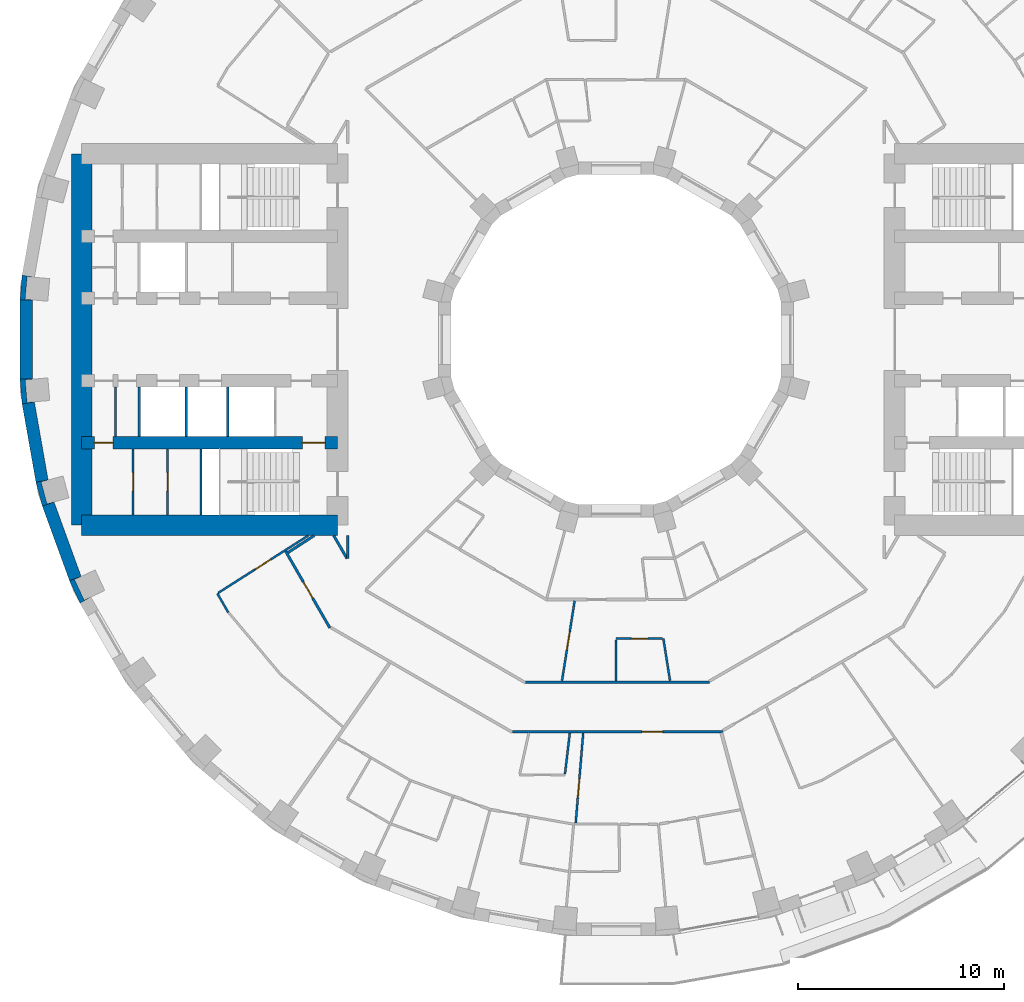
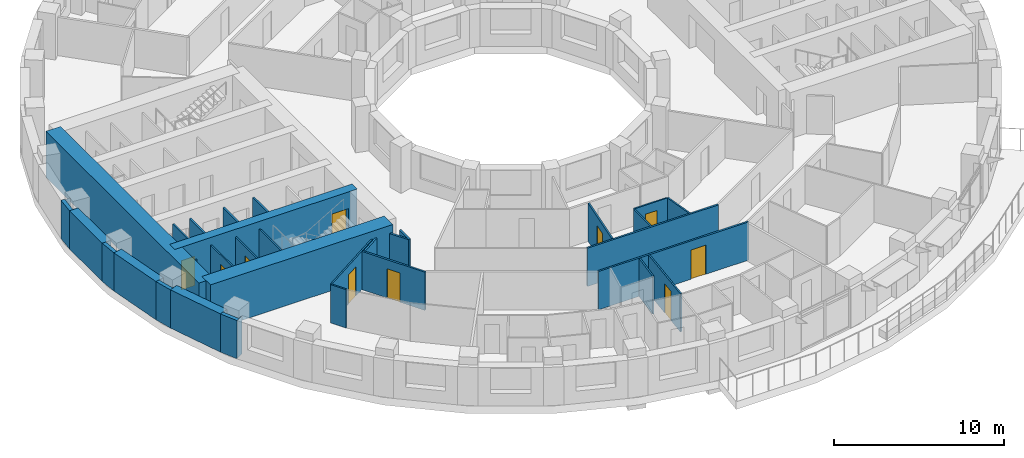
# One storey, part 6 of 16: 31 walls, 10 doors, 10 openings.
"""IFC4 building model written with IfcOpenShell, lengths in metres."""

import ifcopenshell
import ifcopenshell.guid

model = None  # the IFC model being written
_history = None  # IfcOwnerHistory: only IFC2X3 demands one
_inside = {}  # id of a spatial element -> (the spatial element, [elements in it])
_under = {}  # id of a project, library or spatial element -> (it, [spatial elements below it])
_declared = {}  # id of a project -> (the project, [libraries it declares])
_typed = {}  # id of a type object -> (the type object, [elements of that type])
_made_of = {}  # id of a material, layer set ... -> (it, [elements and type objects made of it])


def new_model(schema):
    """Start an empty IFC model of exactly this schema.

    Asked for "IFC4X3", IfcOpenShell would pick the latest addendum, in which some entities
    have other attributes; the version numbers below select the first issue.
    IFC2X3 requires an IfcOwnerHistory on every rooted entity: one is made here for all.
    """
    global model, _history
    if schema == "IFC4X3":
        model = ifcopenshell.file(schema_version=(4, 3, 0, 0))
    else:
        model = ifcopenshell.file(schema=schema)
    _inside.clear()
    _under.clear()
    _declared.clear()
    _typed.clear()
    _made_of.clear()
    _history = None
    if model.schema == "IFC2X3":
        org = make("IfcOrganization", Name="unknown")
        user = make(
            "IfcPersonAndOrganization",
            ThePerson=make("IfcPerson", FamilyName="unknown"),
            TheOrganization=org,
        )
        app = make(
            "IfcApplication",
            ApplicationDeveloper=org,
            Version="unknown",
            ApplicationFullName="unknown",
            ApplicationIdentifier="unknown",
        )
        _history = make(
            "IfcOwnerHistory",
            OwningUser=user,
            OwningApplication=app,
            ChangeAction="ADDED",
            CreationDate=0,
        )
    return model


def make(cls, **values):
    """One entity of the class cls with the attributes given. An attribute that is None is left unset."""
    return model.create_entity(
        cls, **{name: value for name, value in values.items() if value is not None}
    )


def rooted(cls, **values):
    """An entity with a GlobalId (a new one), such as an element, a storey or a relation."""
    return make(cls, GlobalId=ifcopenshell.guid.new(), OwnerHistory=_history, **values)


def si_unit(unit_type, name, prefix=None):
    """IfcSIUnit, for example si_unit("LENGTHUNIT", "METRE", prefix="MILLI")."""
    return make("IfcSIUnit", UnitType=unit_type, Prefix=prefix, Name=name)


def assignment(units):
    """IfcUnitAssignment: the units of a project."""
    return None if units is None else make("IfcUnitAssignment", Units=units)


def point(xyz):
    """IfcCartesianPoint."""
    return None if xyz is None else make("IfcCartesianPoint", Coordinates=xyz)


def direction(xyz):
    """IfcDirection."""
    return None if xyz is None else make("IfcDirection", DirectionRatios=xyz)


def frame(location, z_axis=None, x_axis=None):
    """IfcAxis2Placement3D, a coordinate frame: its origin and axes. An axis left out is left unset."""
    return make(
        "IfcAxis2Placement3D",
        Location=point(location),
        Axis=direction(z_axis),
        RefDirection=direction(x_axis),
    )


def frame_2d(location, x_axis=None):
    """IfcAxis2Placement2D, a coordinate frame in the plane: its origin and x axis."""
    return make(
        "IfcAxis2Placement2D", Location=point(location), RefDirection=direction(x_axis)
    )


def origin():
    """The frame at (0, 0, 0) with its axes left unset."""
    return frame((0.0, 0.0, 0.0))


def place(relative_to, where):
    """IfcLocalPlacement: puts the frame where relative to a parent placement (None: the world)."""
    return make(
        "IfcLocalPlacement", PlacementRelTo=relative_to, RelativePlacement=where
    )


def context(
    kind, dimensions, precision=None, world=None, true_north=None, identifier=None
):
    """IfcGeometricRepresentationContext, for example the 3D "Model" context."""
    return make(
        "IfcGeometricRepresentationContext",
        ContextIdentifier=identifier,
        ContextType=kind,
        CoordinateSpaceDimension=dimensions,
        Precision=precision,
        WorldCoordinateSystem=world,
        TrueNorth=true_north,
    )


def subcontext(parent, identifier, kind, view, scale=None):
    """IfcGeometricRepresentationSubContext, for example "Body" below "Model"."""
    return make(
        "IfcGeometricRepresentationSubContext",
        ContextIdentifier=identifier,
        ContextType=kind,
        ParentContext=parent,
        TargetScale=scale,
        TargetView=view,
    )


def project(units=None, contexts=None):
    """IfcProject with its units and contexts."""
    return rooted(
        "IfcProject",
        Name="project",
        RepresentationContexts=contexts,
        UnitsInContext=assignment(units),
    )


def spatial(cls, under=None, at=None, **own):
    """A site, building, storey or space (cls), placed at a placement, below another one or the project."""
    s = rooted(cls, ObjectPlacement=at, **own)
    if under is not None:
        _under.setdefault(under.id(), (under, []))[1].append(s)
    return s


def polyline(points):
    """IfcPolyline through the points."""
    return make("IfcPolyline", Points=[point(p) for p in points])


def profile(cls, at=None, kind="AREA", **sizes):
    """A parametric profile (cls). Its sizes go by their IFC names, for example OverallWidth=200.0."""
    return make(cls, ProfileType=kind, Position=at, **sizes)


def rectangle(**sizes):
    """IfcRectangleProfileDef."""
    return profile("IfcRectangleProfileDef", **sizes)


def outline(outer, holes=None, kind="AREA"):
    """IfcArbitraryClosedProfileDef: a profile drawn as a closed curve; with holes, ...WithVoids."""
    if holes is None:
        return make("IfcArbitraryClosedProfileDef", ProfileType=kind, OuterCurve=outer)
    return make(
        "IfcArbitraryProfileDefWithVoids",
        ProfileType=kind,
        OuterCurve=outer,
        InnerCurves=holes,
    )


def extrude(swept, where, along, depth):
    """IfcExtrudedAreaSolid: the profile swept, set in the frame where, extruded along a direction by depth."""
    return make(
        "IfcExtrudedAreaSolid",
        SweptArea=swept,
        Position=where,
        ExtrudedDirection=direction(along),
        Depth=depth,
    )


def shape(context_of_items, identifier, shape_type, items):
    """IfcShapeRepresentation: the items that make up one representation, for example the "Body"."""
    return make(
        "IfcShapeRepresentation",
        ContextOfItems=context_of_items,
        RepresentationIdentifier=identifier,
        RepresentationType=shape_type,
        Items=items,
    )


def material(Name=None, Category=None):
    """IfcMaterial."""
    return make("IfcMaterial", Name=Name, Category=Category)


def layer(
    of_material, thickness, ventilated=None, Name=None, Category=None, Priority=None
):
    """IfcMaterialLayer: one layer of a wall or slab, of a material (None: an air gap)."""
    return make(
        "IfcMaterialLayer",
        Material=of_material,
        LayerThickness=thickness,
        IsVentilated=ventilated,
        Name=Name,
        Category=Category,
        Priority=Priority,
    )


def layer_set(layers, Name=None):
    """IfcMaterialLayerSet."""
    return make("IfcMaterialLayerSet", MaterialLayers=layers, LayerSetName=Name)


def made_of(thing, what):
    """Note that an element or type object is made of a material, layer set ...; save() writes the relation."""
    if what is not None:
        _made_of.setdefault(what.id(), (what, []))[1].append(thing)
    return thing


def type_object(cls, material=None, **own):
    """A type object (cls), such as IfcWallType, which elements share."""
    return made_of(rooted(cls, **own), material)


def element(
    cls,
    number,
    at=None,
    inside=None,
    cuts=None,
    type_object=None,
    material=None,
    context=None,
    identifier="Body",
    shape_type=None,
    held_by="IfcProductDefinitionShape",
    body=None,
    shapes=None,
    **own,
):
    """One element of the class cls, such as IfcWall. Its Tag is "e" and its number.

    at: its placement. inside: the storey or other place that contains it. cuts: it is an
    opening in that element (IfcRelVoidsElement). A single representation is given by context,
    identifier, shape_type and body (its items); several are given by shapes. held_by: the class
    of the entity that holds the representations. save() writes the other relations.
    """
    e = rooted(cls, Tag="e%d" % number, ObjectPlacement=at, **own)
    if body is not None:
        shapes = [shape(context, identifier, shape_type, body)]
    if shapes is not None:
        e.Representation = make(held_by, Representations=shapes)
    if inside is not None:
        _inside.setdefault(inside.id(), (inside, []))[1].append(e)
    if cuts is not None:
        rooted(
            "IfcRelVoidsElement", RelatingBuildingElement=cuts, RelatedOpeningElement=e
        )
    if type_object is not None:
        _typed.setdefault(type_object.id(), (type_object, []))[1].append(e)
    return made_of(e, material)


def fill(opening, filler):
    """IfcRelFillsElement: the door or window that sits in an opening."""
    return rooted(
        "IfcRelFillsElement",
        RelatingOpeningElement=opening,
        RelatedBuildingElement=filler,
    )


def aggregate(whole, parts):
    """IfcRelAggregates: a whole, such as a stair, and the parts it consists of."""
    return rooted("IfcRelAggregates", RelatingObject=whole, RelatedObjects=parts)


def save(model, path):
    """Write the relations noted so far, then the file.

    IfcRelAggregates (storeys below a building ...), IfcRelContainedInSpatialStructure (elements
    in a storey), IfcRelDefinesByType, IfcRelAssociatesMaterial and IfcRelDeclares: one each for
    every whole, place, type object, material and project.
    """
    for whole, parts in _under.values():
        aggregate(whole, parts)
    for where, things in _inside.values():
        rooted(
            "IfcRelContainedInSpatialStructure",
            RelatedElements=things,
            RelatingStructure=where,
        )
    for kind, things in _typed.values():
        rooted("IfcRelDefinesByType", RelatedObjects=things, RelatingType=kind)
    for what, things in _made_of.values():
        rooted("IfcRelAssociatesMaterial", RelatedObjects=things, RelatingMaterial=what)
    for by, libraries in _declared.values():
        rooted("IfcRelDeclares", RelatingContext=by, RelatedDefinitions=libraries)
    model.write(path)


model = new_model("IFC4")

# Units and contexts
model_context = context("Model", 3, precision=1e-05, world=origin(), true_north=direction((0.0, 1.0)))
body_context = subcontext(model_context, "Body", "Model", "MODEL_VIEW")
ifc_project = project(units=[si_unit("LENGTHUNIT", "METRE"), si_unit("AREAUNIT", "SQUARE_METRE"), si_unit("VOLUMEUNIT", "CUBIC_METRE"), si_unit("PLANEANGLEUNIT", "RADIAN"), si_unit("MASSUNIT", "GRAM", prefix="KILO")], contexts=[model_context])

# Site, building, storey
site_placement = place(None, origin())
site = spatial("IfcSite", under=ifc_project, at=site_placement, CompositionType="ELEMENT")
building_placement = place(site_placement, origin())
building = spatial("IfcBuilding", under=site, at=building_placement, Name="Saqina Gate Tower", CompositionType="ELEMENT")
storey_placement = place(building_placement, frame((0.0, 0.0, 26.300048828125)))
storey = spatial("IfcBuildingStorey", under=building, at=storey_placement, Name="L06", CompositionType="ELEMENT", Elevation=26.300048828125)

# Walls
ifc_material_1 = material(Name="Brick masonry (red)", Category="masonry")
wall_type_1 = type_object("IfcWallType", Name="BRICK PIER COPING RED", PredefinedType="SOLIDWALL", material=ifc_material_1)
wall_1_placement = place(storey_placement, origin())
element("IfcWall", 1, at=wall_1_placement, inside=storey, type_object=wall_type_1, Name="Pier cap L06 column 18", PredefinedType="SOLIDWALL", context=body_context, shape_type="SweptSolid", body=[
    extrude(outline(polyline([(-28.78466796875, 3.122802734375), (-28.8896484375, 1.9228515625), (-28.28955078125, 1.9228515625), (-28.638671875, 1.95361328125), (-28.54296875, 3.04931640625), (-28.19384765625, 3.018798828125), (-28.78466796875, 3.122802734375)])), origin(), (0.0, 0.0, 1.0), 2.75),
])
wall_2_placement = place(storey_placement, origin())
element("IfcWall", 2, at=wall_2_placement, inside=storey, type_object=wall_type_1, Name="Pier cap L06 column 19", PredefinedType="SOLIDWALL", context=body_context, shape_type="SweptSolid", body=[
    extrude(outline(polyline([(-28.8896484375, -1.9228515625), (-28.78466796875, -3.122802734375), (-28.19384765625, -3.018798828125), (-28.54296875, -3.04931640625), (-28.638671875, -1.95361328125), (-28.28955078125, -1.9228515625), (-28.8896484375, -1.9228515625)])), origin(), (0.0, 0.0, 1.0), 2.75),
])
wall_3_placement = place(storey_placement, origin())
element("IfcWall", 3, at=wall_3_placement, inside=storey, type_object=wall_type_1, Name="Pier cap L06 column 20", PredefinedType="SOLIDWALL", context=body_context, shape_type="SweptSolid", body=[
    extrude(outline(polyline([(-28.11669921875, -6.910400390625), (-27.80517578125, -8.073974609375), (-27.2412109375, -7.86865234375), (-27.57958984375, -7.95947265625), (-27.864501953125, -6.896728515625), (-27.52587890625, -6.80615234375), (-28.11669921875, -6.910400390625)])), origin(), (0.0, 0.0, 1.0), 2.75),
])
wall_4_placement = place(storey_placement, origin())
element("IfcWall", 4, at=wall_4_placement, inside=storey, type_object=wall_type_1, Name="Pier cap L06 column 21", PredefinedType="SOLIDWALL", context=body_context, shape_type="SweptSolid", body=[
    extrude(outline(polyline([(-25.980712890625, -12.779541015625), (-25.4609375, -12.4794921875), (-25.778564453125, -12.627685546875), (-26.243408203125, -11.630615234375), (-25.92578125, -11.482666015625), (-26.48974609375, -11.687744140625), (-25.980712890625, -12.779541015625)])), origin(), (0.0, 0.0, 1.0), 2.75),
])
ifc_material_2 = material(Name="Gypsum board on steel studs", Category="steel")
ifc_layer_1 = layer(ifc_material_2, 0.10009765625)
ifc_layer_set_1 = layer_set([ifc_layer_1], Name="CORE PARTITION")
wall_type_2 = type_object("IfcWallType", Name="CORE PARTITION", PredefinedType="PARTITIONING", material=ifc_layer_set_1)
wall_5_placement = place(storey_placement, frame((-24.260009765625, -4.699951171875, 0.0), z_axis=(0.0, 0.0, 1.0), x_axis=(0.0, 1.0, 0.0)))
element("IfcWall", 5, at=wall_5_placement, inside=storey, type_object=wall_type_2, Name="L06-CP-W09", PredefinedType="PARTITIONING", context=body_context, shape_type="SweptSolid", body=[
    extrude(rectangle(XDim=2.39990234375, YDim=0.10009765625, at=frame_2d((1.199951171875, 0.0))), origin(), (0.0, 0.0, 1.0), 2.75),
])

# Wall, opening, door
wall_6_placement = place(storey_placement, frame((-21.73193359375, -8.5, 0.0), z_axis=(0.0, 0.0, 1.0), x_axis=(0.0, 1.0, 0.0)))
wall_6 = element("IfcWall", 6, at=wall_6_placement, inside=storey, type_object=wall_type_2, Name="L06-CP-W15", PredefinedType="PARTITIONING", context=body_context, shape_type="SweptSolid", body=[
    extrude(rectangle(XDim=3.199951171875, YDim=0.10009765625, at=frame_2d((1.60009765625, 0.0))), origin(), (0.0, 0.0, 1.0), 2.75),
])
opening_1_placement = place(wall_6_placement, frame((1.14990234375, 0.0, 0.0)))
opening_1 = element("IfcOpeningElement", 7, at=opening_1_placement, cuts=wall_6, Name="Opening G01-D120", PredefinedType="OPENING", context=body_context, shape_type="SweptSolid", body=[
    extrude(rectangle(XDim=0.89990234375, YDim=2.10009765625, at=frame_2d((0.449951171875, 1.050048828125))), frame((0.0, 0.06201171875, 0.0), z_axis=(0.0, -1.0, 0.0), x_axis=(1.0, 0.0, 0.0)), (0.0, 0.0, 1.0), 0.1240234375),
])
ifc_material_3 = material(Name="Steel-framed fire door leaf, EI 60", Category="steel")
door_type_1 = type_object("IfcDoorType", Name="SERVICE ROOM DOOR 900", OperationType="SINGLE_SWING_LEFT", PredefinedType="DOOR", material=ifc_material_3)
door_1_placement = place(opening_1_placement, origin())
door_1 = element("IfcDoor", 8, at=door_1_placement, inside=storey, type_object=door_type_1, Name="L06-CD-W31", OperationType="SINGLE_SWING_LEFT", OverallHeight=2.10009765625, OverallWidth=0.89990234375, PredefinedType="DOOR", context=body_context, shape_type="SweptSolid", body=[
    extrude(rectangle(XDim=0.89990234375, YDim=2.10009765625, at=frame_2d((0.449951171875, 1.050048828125))), frame((0.0, 0.02490234375, 0.0), z_axis=(0.0, -1.0, 0.0), x_axis=(1.0, 0.0, 0.0)), (0.0, 0.0, 1.0), 0.050048828125),
])
fill(opening_1, door_1)

wall_7_placement = place(storey_placement, frame((-23.40869140625, -8.5, 0.0), z_axis=(0.0, 0.0, 1.0), x_axis=(0.0, 1.0, 0.0)))
wall_7 = element("IfcWall", 9, at=wall_7_placement, inside=storey, type_object=wall_type_2, Name="L06-CP-W16", PredefinedType="PARTITIONING", context=body_context, shape_type="SweptSolid", body=[
    extrude(rectangle(XDim=3.199951171875, YDim=0.10009765625, at=frame_2d((1.60009765625, 0.0))), origin(), (0.0, 0.0, 1.0), 2.75),
])
opening_2_placement = place(wall_7_placement, frame((1.14990234375, 0.0, 0.0)))
opening_2 = element("IfcOpeningElement", 10, at=opening_2_placement, cuts=wall_7, Name="Opening G01-D119", PredefinedType="OPENING", context=body_context, shape_type="SweptSolid", body=[
    extrude(rectangle(XDim=0.89990234375, YDim=2.10009765625, at=frame_2d((0.449951171875, 1.050048828125))), frame((0.0, 0.06201171875, 0.0), z_axis=(0.0, -1.0, 0.0), x_axis=(1.0, 0.0, 0.0)), (0.0, 0.0, 1.0), 0.1240234375),
])
door_2_placement = place(opening_2_placement, origin())
door_2 = element("IfcDoor", 11, at=door_2_placement, inside=storey, type_object=door_type_1, Name="L06-CD-W30", OperationType="SINGLE_SWING_LEFT", OverallHeight=2.10009765625, OverallWidth=0.89990234375, PredefinedType="DOOR", context=body_context, shape_type="SweptSolid", body=[
    extrude(rectangle(XDim=0.89990234375, YDim=2.10009765625, at=frame_2d((0.449951171875, 1.050048828125))), frame((0.0, 0.02490234375, 0.0), z_axis=(0.0, -1.0, 0.0), x_axis=(1.0, 0.0, 0.0)), (0.0, 0.0, 1.0), 0.050048828125),
])
fill(opening_2, door_2)

# Walls
ifc_material_4 = material(Name="Glazed ceramic tile", Category="ceramic")
ifc_layer_2 = layer(ifc_material_4, 0.60009765625)
ifc_layer_set_2 = layer_set([ifc_layer_2], Name="FW-TILE")
wall_type_3 = type_object("IfcWallType", Name="FW-TILE", PredefinedType="SOLIDWALL", material=ifc_layer_set_2)
wall_8_placement = place(storey_placement, frame((-28.4892578125, -3.07080078125, 0.0), z_axis=(0.0, 0.0, 1.0), x_axis=(0.173687553279, -0.984800809218, 0.0)))
element("IfcWall", 12, at=wall_8_placement, inside=storey, type_object=wall_type_3, Name="Facade wall L06 facet 19", PredefinedType="SOLIDWALL", context=body_context, shape_type="SweptSolid", body=[
    extrude(rectangle(XDim=3.845703125, YDim=0.60009765625, at=frame_2d((1.9228515625, 0.0))), origin(), (0.0, 0.0, 1.0), 2.75),
])
ifc_material_5 = material(Name="Glazed ceramic tile (dark blue)", Category="ceramic")
ifc_layer_3 = layer(ifc_material_5, 0.60009765625)
ifc_layer_set_3 = layer_set([ifc_layer_3], Name="FW-TILE-CB")
wall_type_4 = type_object("IfcWallType", Name="FW-TILE-CB", PredefinedType="SOLIDWALL", material=ifc_layer_set_3)
wall_9_placement = place(storey_placement, frame((-27.523193359375, -7.97119140625, 0.0), z_axis=(0.0, 0.0, 1.0), x_axis=(0.342028474173, -0.939689588564, 0.0)))
element("IfcWall", 13, at=wall_9_placement, inside=storey, type_object=wall_type_4, Name="Facade wall L06 facet 20", PredefinedType="SOLIDWALL", context=body_context, shape_type="SweptSolid", body=[
    extrude(rectangle(XDim=3.845947265625, YDim=0.60009765625, at=frame_2d((1.9228515625, 0.0))), origin(), (0.0, 0.0, 1.0), 2.75),
])
ifc_material_6 = material(Name="Glazed ceramic tile (white)", Category="ceramic")
ifc_layer_4 = layer(ifc_material_6, 0.60009765625)
ifc_layer_set_4 = layer_set([ifc_layer_4], Name="FW-TILE-WH")
wall_type_5 = type_object("IfcWallType", Name="FW-TILE-WH", PredefinedType="SOLIDWALL", material=ifc_layer_set_4)
wall_10_placement = place(storey_placement, frame((-28.589599609375, 1.9228515625, 0.0), z_axis=(0.0, 0.0, 1.0), x_axis=(0.0, -1.0, 0.0)))
element("IfcWall", 14, at=wall_10_placement, inside=storey, type_object=wall_type_5, Name="Facade wall L06 facet 18", PredefinedType="SOLIDWALL", context=body_context, shape_type="SweptSolid", body=[
    extrude(rectangle(XDim=3.845703125, YDim=0.60009765625, at=frame_2d((1.9228515625, 0.0))), origin(), (0.0, 0.0, 1.0), 2.75),
])
ifc_material_7 = material(Name="Gypsum board on steel studs, 100 mm", Category="steel")
ifc_layer_5 = layer(ifc_material_7, 0.10009765625)
ifc_layer_set_5 = layer_set([ifc_layer_5], Name="PARTITION 100")
wall_type_6 = type_object("IfcWallType", Name="PARTITION 100", PredefinedType="PARTITIONING", material=ifc_layer_set_5)
wall_11_placement = place(storey_placement, frame((2.294921875, -14.5, 0.0), z_axis=(0.0, 0.0, 1.0), x_axis=(0.156163049852, -0.987731290312, 0.0)))
element("IfcWall", 15, at=wall_11_placement, inside=storey, type_object=wall_type_6, Name="PARTITION PW3-08", PredefinedType="PARTITIONING", context=body_context, shape_type="SweptSolid", body=[
    extrude(rectangle(XDim=2.063720703125, YDim=0.10009765625, at=frame_2d((1.03173828125, 0.0))), origin(), (0.0, 0.0, 1.0), 2.75),
])
wall_12_placement = place(storey_placement, frame((-19.324951171875, -12.306884765625, 0.0), z_axis=(0.0, 0.0, 1.0), x_axis=(0.499069511817, -0.866561955301, 0.0)))
element("IfcWall", 16, at=wall_12_placement, inside=storey, type_object=wall_type_6, Name="PARTITION PW3-23", PredefinedType="PARTITIONING", context=body_context, shape_type="SweptSolid", body=[
    extrude(rectangle(XDim=1.0576171875, YDim=0.10009765625, at=frame_2d((0.52880859375, 0.0))), origin(), (0.0, 0.0, 1.0), 2.75),
])

# Wall, opening, door
wall_13_placement = place(storey_placement, frame((0.0, -14.5, 0.0), z_axis=(0.0, 0.0, 1.0), x_axis=(1.0, 0.0, 0.0)))
wall_13 = element("IfcWall", 17, at=wall_13_placement, inside=storey, type_object=wall_type_6, Name="PARTITION PW3-58", PredefinedType="PARTITIONING", context=body_context, shape_type="SweptSolid", body=[
    extrude(rectangle(XDim=2.2451171875, YDim=0.10009765625, at=frame_2d((1.12255859375, 0.0))), origin(), (0.0, 0.0, 1.0), 2.75),
])
opening_3_placement = place(wall_13_placement, frame((0.74755859375, 0.0, 0.0)))
opening_3 = element("IfcOpeningElement", 18, at=opening_3_placement, cuts=wall_13, Name="Opening G01-D56", PredefinedType="OPENING", context=body_context, shape_type="SweptSolid", body=[
    extrude(rectangle(XDim=0.800048828125, YDim=2.10009765625, at=frame_2d((0.39990234375, 1.050048828125))), frame((0.0, 0.06201171875, 0.0), z_axis=(0.0, -1.0, 0.0), x_axis=(1.0, 0.0, 0.0)), (0.0, 0.0, 1.0), 0.1240234375),
])
ifc_material_8 = material(Name="Timber door leaf, 800 mm", Category="wood")
door_type_2 = type_object("IfcDoorType", Name="DOOR 800 TIMBER", OperationType="SINGLE_SWING_LEFT", PredefinedType="DOOR", material=ifc_material_8)
door_3_placement = place(opening_3_placement, origin())
door_3 = element("IfcDoor", 19, at=door_3_placement, inside=storey, type_object=door_type_2, Name="DOOR G01-D56", OperationType="SINGLE_SWING_RIGHT", OverallHeight=2.10009765625, OverallWidth=0.800048828125, PredefinedType="DOOR", context=body_context, shape_type="SweptSolid", body=[
    extrude(rectangle(XDim=0.800048828125, YDim=2.10009765625, at=frame_2d((0.39990234375, 1.050048828125))), frame((0.0, 0.02490234375, 0.0), z_axis=(0.0, -1.0, 0.0), x_axis=(1.0, 0.0, 0.0)), (0.0, 0.0, 1.0), 0.050048828125),
])
fill(opening_3, door_3)

wall_14_placement = place(storey_placement, frame((-19.28271484375, -12.280029296875, 0.0), z_axis=(0.0, 0.0, 1.0), x_axis=(0.843445789111, 0.537214296935, 0.0)))
wall_14 = element("IfcWall", 20, at=wall_14_placement, inside=storey, type_object=wall_type_6, Name="PARTITION PW3-84", PredefinedType="PARTITIONING", context=body_context, shape_type="SweptSolid", body=[
    extrude(rectangle(XDim=5.1748046875, YDim=0.10009765625, at=frame_2d((2.58740234375, 0.0))), origin(), (0.0, 0.0, 1.0), 2.75),
])
opening_4_placement = place(wall_14_placement, frame((2.112548828125, 0.0, 0.0)))
opening_4 = element("IfcOpeningElement", 21, at=opening_4_placement, cuts=wall_14, Name="Opening G01-D40", PredefinedType="OPENING", context=body_context, shape_type="SweptSolid", body=[
    extrude(rectangle(XDim=0.89990234375, YDim=2.10009765625, at=frame_2d((0.449951171875, 1.050048828125))), frame((0.0, 0.06201171875, 0.0), z_axis=(0.0, -1.0, 0.0), x_axis=(1.0, 0.0, 0.0)), (0.0, 0.0, 1.0), 0.1240234375),
])
ifc_material_9 = material(Name="Timber door leaf, 900 mm", Category="wood")
door_type_3 = type_object("IfcDoorType", Name="DOOR 900 TIMBER", OperationType="SINGLE_SWING_LEFT", PredefinedType="DOOR", material=ifc_material_9)
door_4_placement = place(opening_4_placement, origin())
door_4 = element("IfcDoor", 22, at=door_4_placement, inside=storey, type_object=door_type_3, Name="DOOR G01-D40", OperationType="SINGLE_SWING_LEFT", OverallHeight=2.10009765625, OverallWidth=0.89990234375, PredefinedType="DOOR", context=body_context, shape_type="SweptSolid", body=[
    extrude(rectangle(XDim=0.89990234375, YDim=2.10009765625, at=frame_2d((0.449951171875, 1.050048828125))), frame((0.0, 0.02490234375, 0.0), z_axis=(0.0, -1.0, 0.0), x_axis=(1.0, 0.0, 0.0)), (0.0, 0.0, 1.0), 0.050048828125),
])
fill(opening_4, door_4)

wall_15_placement = place(storey_placement, frame((-2.619140625, -16.538330078125, 0.0), z_axis=(0.0, 0.0, 1.0), x_axis=(0.15625323836, 0.987717027039, 0.0)))
wall_15 = element("IfcWall", 23, at=wall_15_placement, inside=storey, type_object=wall_type_6, Name="PARTITION PW3-114", PredefinedType="PARTITIONING", context=body_context, shape_type="SweptSolid", body=[
    extrude(rectangle(XDim=3.9248046875, YDim=0.10009765625, at=frame_2d((1.96240234375, 0.0))), origin(), (0.0, 0.0, 1.0), 2.75),
])
opening_5_placement = place(wall_15_placement, frame((1.512451171875, 0.0, 0.0)))
opening_5 = element("IfcOpeningElement", 24, at=opening_5_placement, cuts=wall_15, Name="Opening G01-D50", PredefinedType="OPENING", context=body_context, shape_type="SweptSolid", body=[
    extrude(rectangle(XDim=0.89990234375, YDim=2.10009765625, at=frame_2d((0.449951171875, 1.050048828125))), frame((0.0, 0.06201171875, 0.0), z_axis=(0.0, -1.0, 0.0), x_axis=(1.0, 0.0, 0.0)), (0.0, 0.0, 1.0), 0.1240234375),
])
door_5_placement = place(opening_5_placement, frame((0.89990234375, 0.0, 0.0), z_axis=(0.0, 0.0, 1.0), x_axis=(-1.0, 0.0, 0.0)))
door_5 = element("IfcDoor", 25, at=door_5_placement, inside=storey, type_object=door_type_3, Name="DOOR G01-D50", OperationType="SINGLE_SWING_LEFT", OverallHeight=2.10009765625, OverallWidth=0.89990234375, PredefinedType="DOOR", context=body_context, shape_type="SweptSolid", body=[
    extrude(rectangle(XDim=0.89990234375, YDim=2.10009765625, at=frame_2d((0.449951171875, 1.050048828125))), frame((0.0, 0.02490234375, 0.0), z_axis=(0.0, -1.0, 0.0), x_axis=(1.0, 0.0, 0.0)), (0.0, 0.0, 1.0), 0.050048828125),
])
fill(opening_5, door_5)

# Wall
wall_16_placement = place(storey_placement, frame((-2.47412109375, -21.05029296875, 0.0), z_axis=(0.0, 0.0, 1.0), x_axis=(0.116827096483, 0.993152269054, 0.0)))
element("IfcWall", 26, at=wall_16_placement, inside=storey, type_object=wall_type_6, Name="PARTITION PW3-116", PredefinedType="PARTITIONING", context=body_context, shape_type="SweptSolid", body=[
    extrude(rectangle(XDim=2.001953125, YDim=0.10009765625, at=frame_2d((1.0009765625, 0.0))), origin(), (0.0, 0.0, 1.0), 2.75),
])

# Wall, opening, door
wall_17_placement = place(storey_placement, frame((-1.955810546875, -23.440185546875, 0.0), z_axis=(0.0, 0.0, 1.0), x_axis=(0.083247839263, 0.996528874272, 0.0)))
wall_17 = element("IfcWall", 27, at=wall_17_placement, inside=storey, type_object=wall_type_6, Name="PARTITION PW3-119", PredefinedType="PARTITIONING", context=body_context, shape_type="SweptSolid", body=[
    extrude(rectangle(XDim=4.39306640625, YDim=0.10009765625, at=frame_2d((2.196533203125, 0.0))), origin(), (0.0, 0.0, 1.0), 2.75),
])
opening_6_placement = place(wall_17_placement, frame((1.252685546875, 0.0, 0.0)))
opening_6 = element("IfcOpeningElement", 28, at=opening_6_placement, cuts=wall_17, Name="Opening G01-D52", PredefinedType="OPENING", context=body_context, shape_type="SweptSolid", body=[
    extrude(rectangle(XDim=0.89990234375, YDim=2.10009765625, at=frame_2d((0.449951171875, 1.050048828125))), frame((0.0, 0.06201171875, 0.0), z_axis=(0.0, -1.0, 0.0), x_axis=(1.0, 0.0, 0.0)), (0.0, 0.0, 1.0), 0.1240234375),
])
door_6_placement = place(opening_6_placement, origin())
door_6 = element("IfcDoor", 29, at=door_6_placement, inside=storey, type_object=door_type_3, Name="DOOR G01-D52", OperationType="SINGLE_SWING_RIGHT", OverallHeight=2.10009765625, OverallWidth=0.89990234375, PredefinedType="DOOR", context=body_context, shape_type="SweptSolid", body=[
    extrude(rectangle(XDim=0.89990234375, YDim=2.10009765625, at=frame_2d((0.449951171875, 1.050048828125))), frame((0.0, 0.02490234375, 0.0), z_axis=(0.0, -1.0, 0.0), x_axis=(1.0, 0.0, 0.0)), (0.0, 0.0, 1.0), 0.050048828125),
])
fill(opening_6, door_6)

# Wall
wall_18_placement = place(storey_placement, frame((0.0, -16.53759765625, 0.0), z_axis=(0.0, 0.0, 1.0), x_axis=(0.0, 1.0, 0.0)))
element("IfcWall", 30, at=wall_18_placement, inside=storey, type_object=wall_type_6, Name="PARTITION PW3-120", PredefinedType="PARTITIONING", context=body_context, shape_type="SweptSolid", body=[
    extrude(rectangle(XDim=1.987548828125, YDim=0.10009765625, at=frame_2d((0.99365234375, 0.0))), origin(), (0.0, 0.0, 1.0), 2.75),
])

# Wall, opening, door
ifc_material_10 = material(Name="Gypsum board on steel studs, 125 mm, fire rated", Category="steel")
ifc_layer_6 = layer(ifc_material_10, 0.125)
ifc_layer_set_6 = layer_set([ifc_layer_6], Name="PARTITION EI 30 125")
wall_type_7 = type_object("IfcWallType", Name="PARTITION EI 30 125", PredefinedType="PARTITIONING", material=ifc_layer_set_6)
wall_19_placement = place(storey_placement, frame((-16.0166015625, -10.259033203125, 0.0), z_axis=(0.0, 0.0, 1.0), x_axis=(0.50007738471, -0.865980721091, 0.0)))
wall_19 = element("IfcWall", 31, at=wall_19_placement, inside=storey, type_object=wall_type_7, Name="PARTITION PW1-02", PredefinedType="PARTITIONING", context=body_context, shape_type="SweptSolid", body=[
    extrude(rectangle(XDim=4.286865234375, YDim=0.125, at=frame_2d((2.1435546875, 0.0))), origin(), (0.0, 0.0, 1.0), 2.75),
])
opening_7_placement = place(wall_19_placement, frame((1.716796875, 0.0, 0.0)))
opening_7 = element("IfcOpeningElement", 32, at=opening_7_placement, cuts=wall_19, Name="Opening G01-D41", PredefinedType="OPENING", context=body_context, shape_type="SweptSolid", body=[
    extrude(rectangle(XDim=0.89990234375, YDim=2.10009765625, at=frame_2d((0.449951171875, 1.050048828125))), frame((0.0, 0.074462890625, 0.0), z_axis=(0.0, -1.0, 0.0), x_axis=(1.0, 0.0, 0.0)), (0.0, 0.0, 1.0), 0.14892578125),
])
ifc_material_11 = material(Name="Fire door leaf EI 30, 900 mm")
door_type_4 = type_object("IfcDoorType", Name="DOOR 900 EI 30", OperationType="SINGLE_SWING_LEFT", PredefinedType="DOOR", material=ifc_material_11)
door_7_placement = place(opening_7_placement, frame((0.89990234375, 0.0, 0.0), z_axis=(0.0, 0.0, 1.0), x_axis=(-1.0, 0.0, 0.0)))
door_7 = element("IfcDoor", 33, at=door_7_placement, inside=storey, type_object=door_type_4, Name="DOOR G01-D41", OperationType="SINGLE_SWING_LEFT", OverallHeight=2.10009765625, OverallWidth=0.89990234375, PredefinedType="DOOR", context=body_context, shape_type="SweptSolid", body=[
    extrude(rectangle(XDim=0.89990234375, YDim=2.10009765625, at=frame_2d((0.449951171875, 1.050048828125))), frame((0.0, 0.02490234375, 0.0), z_axis=(0.0, -1.0, 0.0), x_axis=(1.0, 0.0, 0.0)), (0.0, 0.0, 1.0), 0.050048828125),
])
fill(opening_7, door_7)

# Wall
wall_20_placement = place(storey_placement, frame((-13.68310546875, -9.5, 0.0), z_axis=(0.0, 0.0, 1.0), x_axis=(0.500018234033, -0.866014876105, 0.0)))
element("IfcWall", 34, at=wall_20_placement, inside=storey, type_object=wall_type_7, Name="PARTITION PW1-03", PredefinedType="PARTITIONING", context=body_context, shape_type="SweptSolid", body=[
    extrude(rectangle(XDim=1.2861328125, YDim=0.125, at=frame_2d((0.64306640625, 0.0))), origin(), (0.0, 0.0, 1.0), 2.75),
])

# Wall, opening, door
wall_21_placement = place(storey_placement, frame((-5.028564453125, -19.0, 0.0), z_axis=(0.0, 0.0, 1.0), x_axis=(1.0, 0.0, 0.0)))
wall_21 = element("IfcWall", 35, at=wall_21_placement, inside=storey, type_object=wall_type_7, Name="PARTITION PW1-26", PredefinedType="PARTITIONING", context=body_context, shape_type="SweptSolid", body=[
    extrude(rectangle(XDim=10.2060546875, YDim=0.125, at=frame_2d((5.10302734375, 0.0))), origin(), (0.0, 0.0, 1.0), 2.75),
])
opening_8_placement = place(wall_21_placement, frame((6.281494140625, 0.0, 0.0)))
opening_8 = element("IfcOpeningElement", 36, at=opening_8_placement, cuts=wall_21, Name="Opening G01-D57", PredefinedType="OPENING", context=body_context, shape_type="SweptSolid", body=[
    extrude(rectangle(XDim=1.0, YDim=2.10009765625, at=frame_2d((0.5, 1.050048828125))), frame((0.0, 0.074462890625, 0.0), z_axis=(0.0, -1.0, 0.0), x_axis=(1.0, 0.0, 0.0)), (0.0, 0.0, 1.0), 0.14892578125),
])
ifc_material_12 = material(Name="Fire door leaf EI 30, 1000 mm")
door_type_5 = type_object("IfcDoorType", Name="DOOR 1000 EI 30", OperationType="SINGLE_SWING_LEFT", PredefinedType="DOOR", material=ifc_material_12)
door_8_placement = place(opening_8_placement, frame((1.0, 0.0, 0.0), z_axis=(0.0, 0.0, 1.0), x_axis=(-1.0, 0.0, 0.0)))
door_8 = element("IfcDoor", 37, at=door_8_placement, inside=storey, type_object=door_type_5, Name="DOOR G01-D57", OperationType="SINGLE_SWING_LEFT", OverallHeight=2.10009765625, OverallWidth=1.0, PredefinedType="DOOR", context=body_context, shape_type="SweptSolid", body=[
    extrude(rectangle(XDim=1.0, YDim=2.10009765625, at=frame_2d((0.5, 1.050048828125))), frame((0.0, 0.02490234375, 0.0), z_axis=(0.0, -1.0, 0.0), x_axis=(1.0, 0.0, 0.0)), (0.0, 0.0, 1.0), 0.050048828125),
])
fill(opening_8, door_8)

# Walls
wall_22_placement = place(storey_placement, frame((-4.385498046875, -16.60009765625, 0.0), z_axis=(0.0, 0.0, 1.0), x_axis=(1.0, 0.0, 0.0)))
element("IfcWall", 38, at=wall_22_placement, inside=storey, type_object=wall_type_7, Name="PARTITION PW1-27", PredefinedType="PARTITIONING", context=body_context, shape_type="SweptSolid", body=[
    extrude(rectangle(XDim=8.90576171875, YDim=0.125, at=frame_2d((4.452880859375, 0.0))), origin(), (0.0, 0.0, 1.0), 2.75),
])
wall_23_placement = place(storey_placement, frame((-15.904541015625, -10.327880859375, 0.0), z_axis=(0.0, 0.0, 1.0), x_axis=(0.83882853689, 0.544395706908, 0.0)))
element("IfcWall", 39, at=wall_23_placement, inside=storey, type_object=wall_type_7, Name="PARTITION PW1-44", PredefinedType="PARTITIONING", context=body_context, shape_type="SweptSolid", body=[
    extrude(rectangle(XDim=1.520751953125, YDim=0.125, at=frame_2d((0.76025390625, 0.0))), origin(), (0.0, 0.0, 1.0), 2.75),
])
wall_24_placement = place(storey_placement, frame((-13.0, -10.62060546875, 0.0), z_axis=(0.0, 0.0, 1.0), x_axis=(0.0, 1.0, 0.0)))
element("IfcWall", 40, at=wall_24_placement, inside=storey, type_object=wall_type_7, Name="PARTITION PW1-55", PredefinedType="PARTITIONING", context=body_context, shape_type="SweptSolid", body=[
    extrude(rectangle(XDim=1.12060546875, YDim=0.125, at=frame_2d((0.560302734375, 0.0))), origin(), (0.0, 0.0, 1.0), 2.75),
])
ifc_material_13 = material(Name="Autoclaved aerated concrete block", Category="concrete")
ifc_layer_7 = layer(ifc_material_13, 0.1201171875)
ifc_layer_set_7 = layer_set([ifc_layer_7], Name="SHAFT PARTITION")
wall_type_8 = type_object("IfcWallType", Name="SHAFT PARTITION", PredefinedType="PARTITIONING", material=ifc_layer_set_7)
for number, where, z_axis, x_axis, name in (
    (41, (-18.81005859375, -4.699951171875, 0.0), (0.0, 0.0, 1.0), (0.0, 1.0, 0.0), "L06-CP-W06"),
    (42, (-20.840087890625, -4.699951171875, 0.0), (0.0, 0.0, 1.0), (0.0, 1.0, 0.0), "L06-CP-W07"),
    (43, (-23.1201171875, -4.699951171875, 0.0), (0.0, 0.0, 1.0), (0.0, 1.0, 0.0), "L06-CP-W08"),
):
    element("IfcWall", number, at=place(storey_placement, frame(where, z_axis=z_axis, x_axis=x_axis)), inside=storey, type_object=wall_type_8, Name=name, PredefinedType="PARTITIONING", context=body_context, shape_type="SweptSolid", body=[
        extrude(rectangle(XDim=2.39990234375, YDim=0.1201171875, at=frame_2d((1.199951171875, 0.0))), origin(), (0.0, 0.0, 1.0), 2.75),
    ])
ifc_material_14 = material(Name="Autoclaved aerated concrete block", Category="concrete")
ifc_layer_8 = layer(ifc_material_14, 0.10009765625)
ifc_layer_set_8 = layer_set([ifc_layer_8], Name="STAIR ENCLOSURE WALL")
wall_type_9 = type_object("IfcWallType", Name="STAIR ENCLOSURE WALL", PredefinedType="PARTITIONING", material=ifc_layer_set_8)
wall_25_placement = place(storey_placement, frame((-20.110107421875, -8.5, 0.0), z_axis=(0.0, 0.0, 1.0), x_axis=(0.0, 1.0, 0.0)))
element("IfcWall", 44, at=wall_25_placement, inside=storey, type_object=wall_type_9, Name="L06-CP-W14", PredefinedType="PARTITIONING", context=body_context, shape_type="SweptSolid", body=[
    extrude(rectangle(XDim=3.199951171875, YDim=0.10009765625, at=frame_2d((1.60009765625, 0.0))), origin(), (0.0, 0.0, 1.0), 2.75),
])

# Wall, openings, doors
ifc_material_15 = material(Name="Concrete C70/85", Category="concrete")
ifc_layer_9 = layer(ifc_material_15, 0.60009765625)
ifc_layer_set_9 = layer_set([ifc_layer_9], Name="Concrete C70/85")
wall_type_10 = type_object("IfcWallType", Name="STR-CORE WALL-A-I", PredefinedType="SHEAR", material=ifc_layer_set_9)
wall_26_placement = place(storey_placement, frame((-13.5, -5.0, 0.0), z_axis=(0.0, 0.0, 1.0), x_axis=(-1.0, 0.0, 0.0)))
wall_26 = element("IfcWall", 45, at=wall_26_placement, inside=storey, type_object=wall_type_10, Name="CORE WALL L06 W-X2", PredefinedType="SHEAR", context=body_context, shape_type="SweptSolid", body=[
    extrude(rectangle(XDim=12.39990234375, YDim=0.60009765625, at=frame_2d((6.199951171875, 0.0))), origin(), (0.0, 0.0, 1.0), 3.300048828125),
])
opening_9_placement = place(wall_26_placement, frame((10.8798828125, 0.0, 0.0)))
opening_9 = element("IfcOpeningElement", 46, at=opening_9_placement, cuts=wall_26, Name="Opening G01-D121", PredefinedType="OPENING", context=body_context, shape_type="SweptSolid", body=[
    extrude(rectangle(XDim=0.89990234375, YDim=2.10009765625, at=frame_2d((0.449951171875, 1.050048828125))), frame((0.0, 0.31201171875, 0.0), z_axis=(0.0, -1.0, 0.0), x_axis=(1.0, 0.0, 0.0)), (0.0, 0.0, 1.0), 0.6240234375),
])
opening_10_placement = place(wall_26_placement, frame((0.60009765625, 0.0, 0.0)))
opening_10 = element("IfcOpeningElement", 47, at=opening_10_placement, cuts=wall_26, Name="Opening G01-D122", PredefinedType="OPENING", context=body_context, shape_type="SweptSolid", body=[
    extrude(rectangle(XDim=1.10009765625, YDim=2.10009765625, at=frame_2d((0.550048828125, 1.050048828125))), frame((0.0, 0.31201171875, 0.0), z_axis=(0.0, -1.0, 0.0), x_axis=(1.0, 0.0, 0.0)), (0.0, 0.0, 1.0), 0.6240234375),
])
ifc_material_16 = material(Name="Steel", Category="steel")
door_type_6 = type_object("IfcDoorType", Name="FIRE LOBBY DOOR EI 60 WIDE", OperationType="SINGLE_SWING_LEFT", PredefinedType="DOOR", material=ifc_material_16)
door_9_placement = place(opening_10_placement, origin())
door_9 = element("IfcDoor", 48, at=door_9_placement, inside=storey, type_object=door_type_6, Name="L06-CD-W33", OperationType="SINGLE_SWING_LEFT", OverallHeight=2.10009765625, OverallWidth=1.10009765625, PredefinedType="DOOR", context=body_context, shape_type="SweptSolid", body=[
    extrude(rectangle(XDim=1.10009765625, YDim=2.10009765625, at=frame_2d((0.550048828125, 1.050048828125))), frame((0.0, 0.02490234375, 0.0), z_axis=(0.0, -1.0, 0.0), x_axis=(1.0, 0.0, 0.0)), (0.0, 0.0, 1.0), 0.050048828125),
])
fill(opening_10, door_9)
door_10_placement = place(opening_9_placement, origin())
door_10 = element("IfcDoor", 49, at=door_10_placement, inside=storey, type_object=door_type_1, Name="L06-CD-W32", OperationType="SINGLE_SWING_RIGHT", OverallHeight=2.10009765625, OverallWidth=0.89990234375, PredefinedType="DOOR", context=body_context, shape_type="SweptSolid", body=[
    extrude(rectangle(XDim=0.89990234375, YDim=2.10009765625, at=frame_2d((0.449951171875, 1.050048828125))), frame((0.0, 0.02490234375, 0.0), z_axis=(0.0, -1.0, 0.0), x_axis=(1.0, 0.0, 0.0)), (0.0, 0.0, 1.0), 0.050048828125),
])
fill(opening_9, door_10)

# Walls
ifc_material_17 = material(Name="Concrete C70/85", Category="concrete")
ifc_layer_10 = layer(ifc_material_17, 1.0)
ifc_layer_set_10 = layer_set([ifc_layer_10], Name="Concrete C70/85")
wall_type_11 = type_object("IfcWallType", Name="STR-CORE WALL-A-O", PredefinedType="SHEAR", material=ifc_layer_set_10)
wall_27_placement = place(storey_placement, frame((-25.89990234375, -9.0, 0.0), z_axis=(0.0, 0.0, 1.0), x_axis=(0.0, 1.0, 0.0)))
element("IfcWall", 50, at=wall_27_placement, inside=storey, type_object=wall_type_11, Name="CORE WALL L06 W-W2", PredefinedType="SHEAR", context=body_context, shape_type="SweptSolid", body=[
    extrude(rectangle(XDim=18.0, YDim=1.0, at=frame_2d((9.0, 0.0))), origin(), (0.0, 0.0, 1.0), 3.300048828125),
])
wall_28_placement = place(storey_placement, frame((-13.5, -9.0, 0.0), z_axis=(0.0, 0.0, 1.0), x_axis=(-1.0, 0.0, 0.0)))
element("IfcWall", 51, at=wall_28_placement, inside=storey, type_object=wall_type_11, Name="CORE WALL L06 W-SE", PredefinedType="SHEAR", context=body_context, shape_type="SweptSolid", body=[
    extrude(rectangle(XDim=12.39990234375, YDim=1.0, at=frame_2d((6.199951171875, 0.0))), origin(), (0.0, 0.0, 1.0), 3.300048828125),
])

save(model, "model.ifc")
